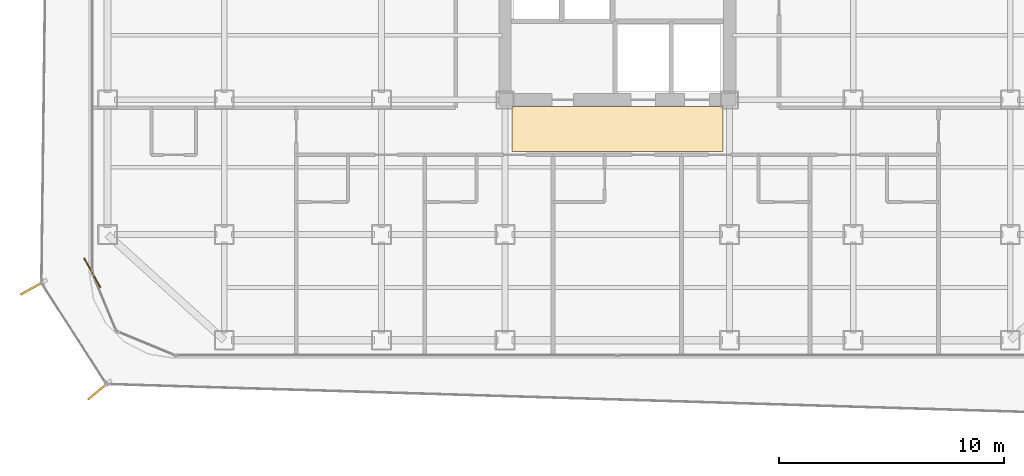
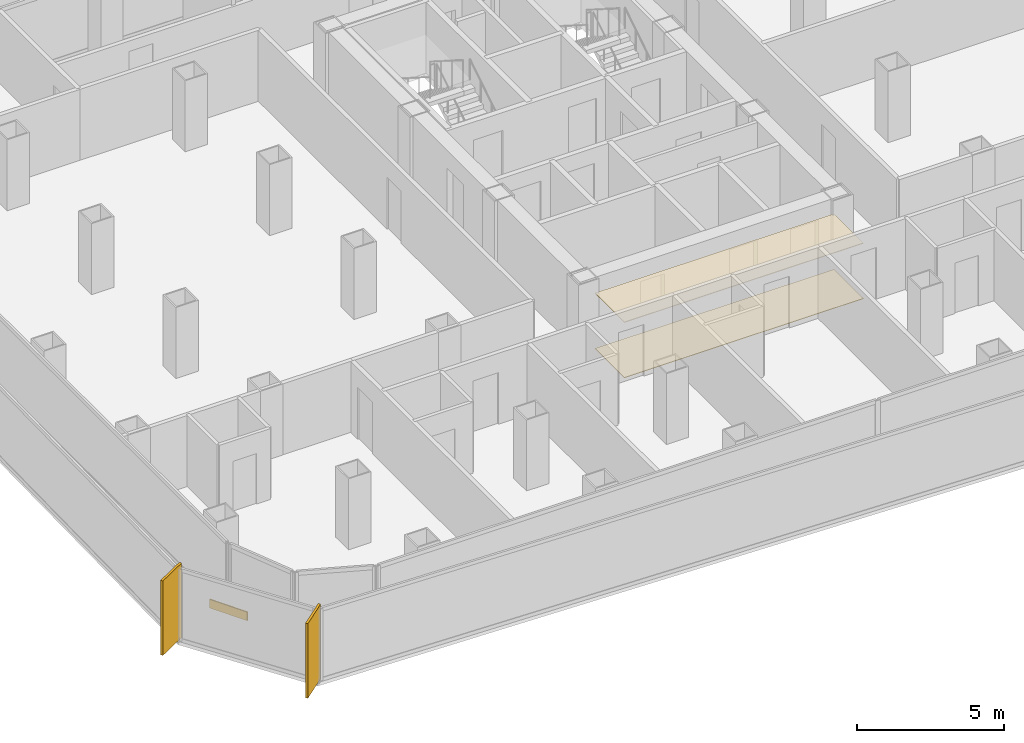
# One storey, part 19 of 21: 3 coverings, 2 shading devices.
"""IFC4 building model written with IfcOpenShell, lengths in metres."""

from ifc_helpers import new_model, si_unit, direction, frame, origin, origin_2d, place, context, subcontext, project, spatial, polyline, rectangle, outline, extrude, source, transform, mapped, material, layer, layer_set, type_object, element, save


model = new_model("IFC4")

# Units and contexts
model_context = context("Model", 3, precision=1e-05, world=origin(), true_north=direction((0.0, 1.0)))
body_context = subcontext(model_context, "Body", "Model", "MODEL_VIEW")
ifc_project = project(units=[si_unit("LENGTHUNIT", "METRE"), si_unit("AREAUNIT", "SQUARE_METRE"), si_unit("VOLUMEUNIT", "CUBIC_METRE"), si_unit("PLANEANGLEUNIT", "RADIAN"), si_unit("MASSUNIT", "GRAM", prefix="KILO")], contexts=[model_context])

# Site, building, storey
site_placement = place(None, origin())
site = spatial("IfcSite", under=ifc_project, at=site_placement, CompositionType="ELEMENT")
building_placement = place(site_placement, origin())
building = spatial("IfcBuilding", under=site, at=building_placement, Name="Kolveth Station Tower", CompositionType="ELEMENT")
storey_placement = place(building_placement, frame((0.0, 0.0, 99.10009765625)))
storey = spatial("IfcBuildingStorey", under=building, at=storey_placement, Name="L26", CompositionType="ELEMENT", Elevation=99.10009765625)

# Coverings
ifc_material_1 = material(Name="Acoustic mineral-fibre ceiling tile")
ifc_layer_1 = layer(ifc_material_1, 0.02490234375)
ifc_layer_set_1 = layer_set([ifc_layer_1], Name="Acoustic mineral-fibre ceiling tile")
covering_type_1 = type_object("IfcCoveringType", Name="Ceil_CL1", PredefinedType="CEILING", material=ifc_layer_set_1)
covering_1_placement = place(storey_placement, frame((0.0, 0.0, 2.2998046875)))
element("IfcCovering", 1, at=covering_1_placement, inside=storey, type_object=covering_type_1, Name="L26 Lift Lobby Suspended Ceiling", PredefinedType="CEILING", context=body_context, shape_type="SweptSolid", body=[
    extrude(outline(polyline([(18.800048828125, 9.199951171875), (28.199951171875, 9.199951171875), (28.199951171875, 11.199951171875), (18.800048828125, 11.199951171875), (18.800048828125, 9.199951171875)])), origin(), (0.0, 0.0, 1.0), 0.025146484375),
])
ifc_material_2 = material(Name="Honed terrazzo flooring")
ifc_layer_2 = layer(ifc_material_2, 0.02001953125)
ifc_layer_set_2 = layer_set([ifc_layer_2], Name="Honed terrazzo flooring")
covering_type_2 = type_object("IfcCoveringType", Name="Floor_FL1", PredefinedType="FLOORING", material=ifc_layer_set_2)
covering_2_placement = place(storey_placement, origin())
element("IfcCovering", 2, at=covering_2_placement, inside=storey, type_object=covering_type_2, Name="L26 Lift Lobby Floor Finish", PredefinedType="FLOORING", context=body_context, shape_type="SweptSolid", body=[
    extrude(outline(polyline([(18.800048828125, 9.199951171875), (28.199951171875, 9.199951171875), (28.199951171875, 11.199951171875), (18.800048828125, 11.199951171875), (18.800048828125, 9.199951171875)])), origin(), (0.0, 0.0, 1.0), 0.02001953125),
])

# Shading devices
ifc_material_3 = material(Name="Black anodized aluminium 6063-T6", Category="aluminium")
shading_device_type = type_object("IfcShadingDeviceType", Name="FIN_VF1", PredefinedType="USERDEFINED", material=ifc_material_3)
shared_shape_1 = source(origin(), body_context, "Body", "SweptSolid", [
    extrude(rectangle(XDim=1.25, YDim=0.090087890625, at=origin_2d()), origin(), (0.0, 0.0, 1.0), 3.10009765625),
])
for number, where, z_axis, x_axis, name in (
    (3, (-2.529052734375, 3.132080078125, -0.000244140625), (0.0, 0.0, 1.0), (-0.873347482699, -0.487097705254, 0.0), "L26 Dark-Aluminium Solar Fin 7"),
    (4, (0.408935546875, -1.446044921875, -0.000244140625), (0.0, 0.0, 1.0), (-0.770624482513, -0.637289500111, 0.0), "L26 Dark-Aluminium Solar Fin 8"),
):
    element("IfcShadingDevice", number, at=place(storey_placement, frame(where, z_axis=z_axis, x_axis=x_axis)), inside=storey, type_object=shading_device_type, Name=name, ObjectType="FIN", PredefinedType="USERDEFINED", context=body_context, shape_type="MappedRepresentation", body=[
        mapped(shared_shape_1, transform((0.0, 0.0, 0.0), x_axis=(1.0, 0.0, 0.0), y_axis=(0.0, 1.0, 0.0), z_axis=(0.0, 0.0, 1.0), scale=1.0)),
    ])

# Covering
ifc_material_4 = material(Name="Charcoal anodized aluminium spandrel cladding", Category="aluminium")
ifc_layer_3 = layer(ifc_material_4, 0.044921875)
ifc_layer_set_3 = layer_set([ifc_layer_3], Name="Charcoal anodized aluminium spandrel cladding")
covering_type_3 = type_object("IfcCoveringType", Name="Clad_CD1", PredefinedType="CLADDING", material=ifc_layer_set_3)
shared_shape_2 = source(origin(), body_context, "Body", "SweptSolid", [
    extrude(rectangle(XDim=1.5, YDim=0.044921875, at=origin_2d()), origin(), (0.0, 0.0, 1.0), 0.360107421875),
])
covering_3_placement = place(storey_placement, frame((0.1201171875, 3.800048828125, 0.0), z_axis=(0.0, 0.0, 1.0), x_axis=(0.487097705254, -0.873347482699, 0.0)))
element("IfcCovering", 5, at=covering_3_placement, inside=storey, type_object=covering_type_3, Name="L26 Spandrel Edge Cladding 7", PredefinedType="CLADDING", context=body_context, shape_type="MappedRepresentation", body=[
    mapped(shared_shape_2, transform((0.0, 0.0, 0.0), x_axis=(1.0, 0.0, 0.0), y_axis=(0.0, 1.0, 0.0), z_axis=(0.0, 0.0, 1.0), scale=1.0)),
])

save(model, "model.ifc")
